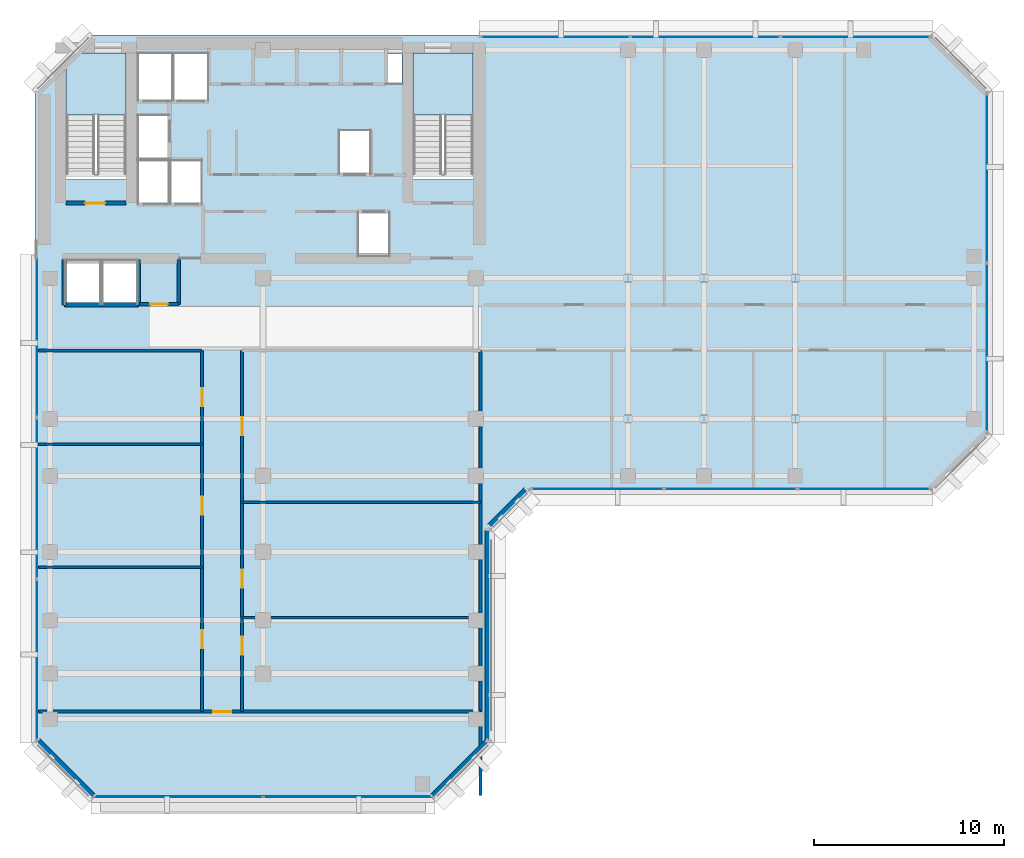
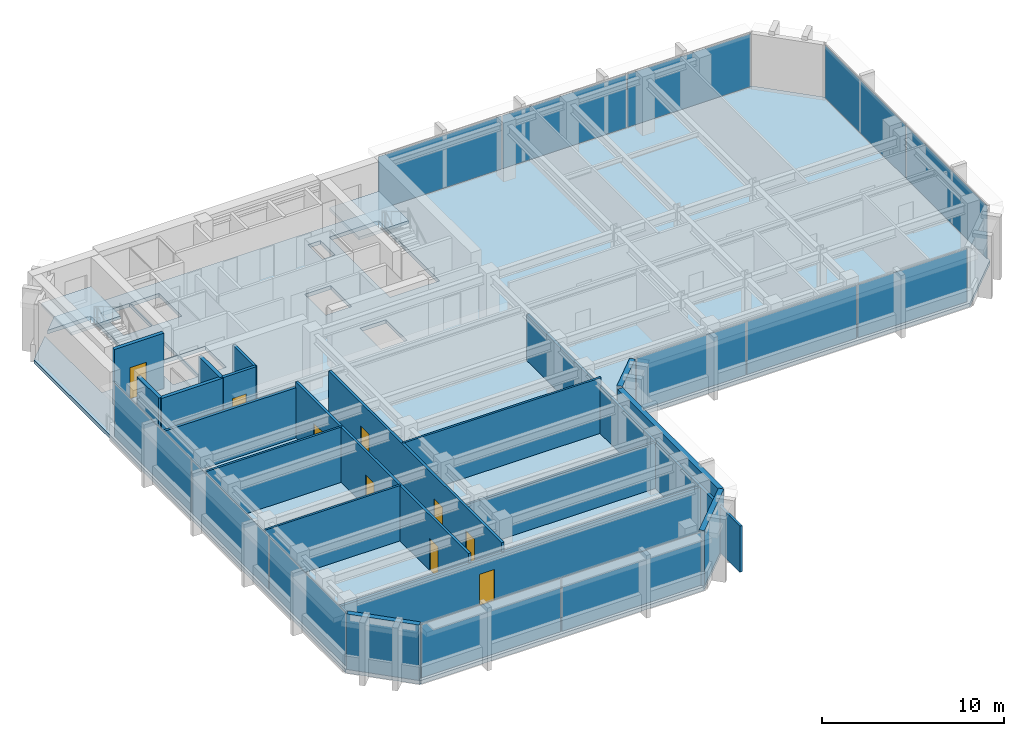
# One storey, part 6 of 12: 19 walls, 13 plates, 9 doors, 3 slabs, 9 openings, 7 elements without a shape of their own.
"""IFC4 building model written with IfcOpenShell, lengths in metres."""

from ifc_helpers import new_model, si_unit, direction, frame, frame_2d, origin, origin_2d, place, context, subcontext, project, spatial, polyline, rectangle, outline, extrude, material, layer, layer_set, type_object, element, fill, aggregate, save


model = new_model("IFC4")

# Units and contexts
model_context = context("Model", 3, precision=1e-05, world=origin(), true_north=direction((0.0, 1.0)))
body_context = subcontext(model_context, "Body", "Model", "MODEL_VIEW")
ifc_project = project(units=[si_unit("LENGTHUNIT", "METRE"), si_unit("AREAUNIT", "SQUARE_METRE"), si_unit("VOLUMEUNIT", "CUBIC_METRE"), si_unit("PLANEANGLEUNIT", "RADIAN"), si_unit("MASSUNIT", "GRAM", prefix="KILO")], contexts=[model_context])

# Site, building, storey
site_placement = place(None, origin())
site = spatial("IfcSite", under=ifc_project, at=site_placement, CompositionType="ELEMENT")
building_placement = place(site_placement, origin())
building = spatial("IfcBuilding", under=site, at=building_placement, Name="Kefirva Bronze Tower", CompositionType="ELEMENT")
storey_placement = place(building_placement, frame((0.0, 0.0, 256.409912109375)))
storey = spatial("IfcBuildingStorey", under=building, at=storey_placement, Name="L62", CompositionType="ELEMENT", Elevation=256.409912109375)

# Stair, slab
ifc_material_1 = material(Name="Concrete C40/50", Category="concrete")
stair_type = type_object("IfcStairType", Name="RC Dogleg Protected Stair 24R", PredefinedType="HALF_TURN_STAIR", material=ifc_material_1)
stair_1_placement = place(storey_placement, origin())
stair_1 = element("IfcStair", 1, at=stair_1_placement, inside=storey, type_object=stair_type, Name="L62 Protected Exit Stair 1", PredefinedType="HALF_TURN_STAIR")
ifc_layer_1 = layer(ifc_material_1, 0.199951171875, Name="Concrete C40/50")
ifc_layer_set_1 = layer_set([ifc_layer_1], Name="Concrete C40/50")
slab_type_1 = type_object("IfcSlabType", Name="RC Stair Landing Slab 200mm", PredefinedType="LANDING", material=ifc_layer_set_1)
slab_1_placement = place(storey_placement, frame((0.0, 0.0, 1.780029296875)))
slab_1 = element("IfcSlab", 2, at=slab_1_placement, type_object=slab_type_1, Name="ST-1 landing 1", PredefinedType="LANDING", context=body_context, shape_type="SweptSolid", body=[
    extrude(outline(polyline([(4.800048828125, 41.780029296875), (4.800048828125, 45.050048828125), (1.64990234375, 45.050048828125), (1.64990234375, 41.780029296875), (4.800048828125, 41.780029296875)])), origin(), (0.0, 0.0, 1.0), 0.199951171875),
])
aggregate(stair_1, [slab_1])

stair_2_placement = place(storey_placement, origin())
stair_2 = element("IfcStair", 3, at=stair_2_placement, inside=storey, type_object=stair_type, Name="L62 Protected Exit Stair 2", PredefinedType="HALF_TURN_STAIR")
slab_2_placement = place(storey_placement, frame((0.0, 0.0, 1.780029296875)))
slab_2 = element("IfcSlab", 4, at=slab_2_placement, type_object=slab_type_1, Name="ST-2 landing 1", PredefinedType="LANDING", context=body_context, shape_type="SweptSolid", body=[
    extrude(outline(polyline([(23.050048828125, 41.780029296875), (23.050048828125, 45.050048828125), (19.89990234375, 45.050048828125), (19.89990234375, 41.780029296875), (23.050048828125, 41.780029296875)])), origin(), (0.0, 0.0, 1.0), 0.199951171875),
])
aggregate(stair_2, [slab_2])

# Slab
ifc_layer_2 = layer(ifc_material_1, 0.25, Name="Concrete C40/50")
ifc_layer_set_2 = layer_set([ifc_layer_2], Name="Concrete C40/50")
slab_type_2 = type_object("IfcSlabType", Name="RC Tower Floor Slab 250mm", PredefinedType="FLOOR", material=ifc_layer_set_2)
slab_3_placement = place(storey_placement, frame((0.0, 0.0, -0.25)))
element("IfcSlab", 5, at=slab_3_placement, inside=storey, type_object=slab_type_2, Name="L62 Structural Floor Slab", PredefinedType="FLOOR", context=body_context, shape_type="SweptSolid", body=[
    extrude(outline(polyline([(0.0, 8.800048828125), (0.0, 43.0), (1.64990234375, 44.64990234375), (1.64990234375, 38.39990234375), (4.800048828125, 38.39990234375), (4.800048828125, 45.050048828125), (2.050048828125, 45.050048828125), (3.0, 46.0), (47.199951171875, 46.0), (50.199951171875, 43.0), (50.199951171875, 25.0), (47.199951171875, 22.0), (26.0, 22.0), (24.0, 20.0), (24.0, 8.800048828125), (21.0, 5.800048828125), (3.0, 5.800048828125), (0.0, 8.800048828125)]), holes=[polyline([(23.050048828125, 45.050048828125), (19.89990234375, 45.050048828125), (19.89990234375, 38.39990234375), (23.050048828125, 38.39990234375), (23.050048828125, 45.050048828125)]), polyline([(19.320068359375, 43.419921875), (19.320068359375, 45.0), (18.52001953125, 45.0), (18.52001953125, 43.419921875), (19.320068359375, 43.419921875)]), polyline([(18.64990234375, 36.64990234375), (17.0, 36.64990234375), (17.0, 34.35009765625), (18.64990234375, 34.35009765625), (18.64990234375, 36.64990234375)]), polyline([(17.64990234375, 38.679931640625), (17.64990234375, 40.97998046875), (16.0, 40.97998046875), (16.0, 38.679931640625), (17.64990234375, 38.679931640625)]), polyline([(9.1201171875, 42.550048828125), (9.1201171875, 45.050048828125), (7.300048828125, 45.050048828125), (7.300048828125, 42.550048828125), (9.1201171875, 42.550048828125)]), polyline([(8.780029296875, 37.10009765625), (8.780029296875, 39.39990234375), (7.139892578125, 39.39990234375), (7.139892578125, 37.10009765625), (8.780029296875, 37.10009765625)]), polyline([(7.239990234375, 42.550048828125), (7.239990234375, 45.050048828125), (5.419921875, 45.050048828125), (5.419921875, 42.550048828125), (7.239990234375, 42.550048828125)]), polyline([(7.06005859375, 37.10009765625), (7.06005859375, 39.39990234375), (5.419921875, 39.39990234375), (5.419921875, 37.10009765625), (7.06005859375, 37.10009765625)]), polyline([(7.06005859375, 41.780029296875), (5.419921875, 41.780029296875), (5.419921875, 39.47998046875), (7.06005859375, 39.47998046875), (7.06005859375, 41.780029296875)]), polyline([(5.39990234375, 31.85009765625), (5.39990234375, 34.14990234375), (3.550048828125, 34.14990234375), (3.550048828125, 31.85009765625), (5.39990234375, 31.85009765625)]), polyline([(3.449951171875, 34.14990234375), (1.60009765625, 34.14990234375), (1.60009765625, 31.85009765625), (3.449951171875, 31.85009765625), (3.449951171875, 34.14990234375)])]), origin(), (0.0, 0.0, 1.0), 0.25),
])

# Curtain wall, plates
ifc_material_2 = material(Name="Bronze anodised aluminium", Category="aluminium")
ifc_layer_3 = layer(ifc_material_2, 0.179931640625, Name="Bronze anodised aluminium")
ifc_layer_set_3 = layer_set([ifc_layer_3], Name="Bronze anodised aluminium")
curtain_wall_type = type_object("IfcCurtainWallType", Name="Unitised Bronze Ribbon Curtain Wall Zone 3", PredefinedType="USERDEFINED", material=ifc_layer_set_3)
curtain_wall_1_placement = place(storey_placement, origin())
curtain_wall_1 = element("IfcCurtainWall", 6, at=curtain_wall_1_placement, inside=storey, type_object=curtain_wall_type, Name="L62 Curtain Wall 1", ObjectType="UNITISED CURTAIN WALL", PredefinedType="USERDEFINED")
ifc_material_3 = material(Name="Laminated low-E double glazing", Category="glass")
ifc_layer_4 = layer(ifc_material_3, 0.031982421875, Name="Laminated low-E double glazing")
ifc_layer_set_4 = layer_set([ifc_layer_4], Name="Laminated low-E double glazing")
plate_type = type_object("IfcPlateType", Name="Solar-Control Low-E Vision Panel 32mm", PredefinedType="CURTAIN_PANEL", material=ifc_layer_set_4)
plate_1_placement = place(storey_placement, frame((7.546142578125, 5.919921875, 0.074951171875), z_axis=(0.0, 0.0, 1.0), x_axis=(1.0, 0.0, 0.0)))
plate_1 = element("IfcPlate", 7, at=plate_1_placement, type_object=plate_type, Name="CW-03 panel 1.1", PredefinedType="CURTAIN_PANEL", context=body_context, shape_type="SweptSolid", body=[
    extrude(rectangle(XDim=8.83251953125, YDim=0.031982421875, at=origin_2d()), origin(), (0.0, 0.0, 1.0), 3.56005859375),
])
plate_2_placement = place(storey_placement, frame((16.453857421875, 5.919921875, 0.074951171875), z_axis=(0.0, 0.0, 1.0), x_axis=(1.0, 0.0, 0.0)))
plate_2 = element("IfcPlate", 8, at=plate_2_placement, type_object=plate_type, Name="CW-03 panel 2.1", PredefinedType="CURTAIN_PANEL", context=body_context, shape_type="SweptSolid", body=[
    extrude(rectangle(XDim=8.83251953125, YDim=0.031982421875, at=origin_2d()), origin(), (0.0, 0.0, 1.0), 3.56005859375),
])
aggregate(curtain_wall_1, [plate_1, plate_2])

curtain_wall_2_placement = place(storey_placement, origin())
curtain_wall_2 = element("IfcCurtainWall", 9, at=curtain_wall_2_placement, inside=storey, type_object=curtain_wall_type, Name="L62 Curtain Wall 2", ObjectType="UNITISED CURTAIN WALL", PredefinedType="USERDEFINED")
plate_3_placement = place(storey_placement, frame((29.5888671875, 22.1201171875, 0.074951171875), z_axis=(0.0, 0.0, 1.0), x_axis=(1.0, 0.0, 0.0)))
plate_3 = element("IfcPlate", 10, at=plate_3_placement, type_object=plate_type, Name="CW-03 panel 1.1", PredefinedType="CURTAIN_PANEL", context=body_context, shape_type="SweptSolid", body=[
    extrude(rectangle(XDim=6.91748046875, YDim=0.031982421875, at=origin_2d()), origin(), (0.0, 0.0, 1.0), 3.56005859375),
])
plate_4_placement = place(storey_placement, frame((36.60009765625, 22.1201171875, 0.074951171875), z_axis=(0.0, 0.0, 1.0), x_axis=(1.0, 0.0, 0.0)))
plate_4 = element("IfcPlate", 11, at=plate_4_placement, type_object=plate_type, Name="CW-03 panel 2.1", PredefinedType="CURTAIN_PANEL", context=body_context, shape_type="SweptSolid", body=[
    extrude(rectangle(XDim=6.955078125, YDim=0.031982421875, at=origin_2d()), origin(), (0.0, 0.0, 1.0), 3.56005859375),
])
plate_5_placement = place(storey_placement, frame((43.611328125, 22.1201171875, 0.074951171875), z_axis=(0.0, 0.0, 1.0), x_axis=(1.0, 0.0, 0.0)))
plate_5 = element("IfcPlate", 12, at=plate_5_placement, type_object=plate_type, Name="CW-03 panel 3.1", PredefinedType="CURTAIN_PANEL", context=body_context, shape_type="SweptSolid", body=[
    extrude(rectangle(XDim=6.91748046875, YDim=0.031982421875, at=origin_2d()), origin(), (0.0, 0.0, 1.0), 3.56005859375),
])
aggregate(curtain_wall_2, [plate_3, plate_4, plate_5])

curtain_wall_3_placement = place(storey_placement, origin())
curtain_wall_3 = element("IfcCurtainWall", 13, at=curtain_wall_3_placement, inside=storey, type_object=curtain_wall_type, Name="L62 Curtain Wall 3", ObjectType="UNITISED CURTAIN WALL", PredefinedType="USERDEFINED")
plate_6_placement = place(storey_placement, frame((50.080078125, 29.546142578125, 0.074951171875), z_axis=(0.0, 0.0, 1.0), x_axis=(0.0, 1.0, 0.0)))
plate_6 = element("IfcPlate", 14, at=plate_6_placement, type_object=plate_type, Name="CW-03 panel 1.1", PredefinedType="CURTAIN_PANEL", context=body_context, shape_type="SweptSolid", body=[
    extrude(rectangle(XDim=8.83251953125, YDim=0.031982421875, at=origin_2d()), origin(), (0.0, 0.0, 1.0), 3.56005859375),
])
plate_7_placement = place(storey_placement, frame((50.080078125, 38.453857421875, 0.074951171875), z_axis=(0.0, 0.0, 1.0), x_axis=(0.0, 1.0, 0.0)))
plate_7 = element("IfcPlate", 15, at=plate_7_placement, type_object=plate_type, Name="CW-03 panel 2.1", PredefinedType="CURTAIN_PANEL", context=body_context, shape_type="SweptSolid", body=[
    extrude(rectangle(XDim=8.83251953125, YDim=0.031982421875, at=origin_2d()), origin(), (0.0, 0.0, 1.0), 3.56005859375),
])
aggregate(curtain_wall_3, [plate_6, plate_7])

curtain_wall_4_placement = place(storey_placement, origin())
curtain_wall_4 = element("IfcCurtainWall", 16, at=curtain_wall_4_placement, inside=storey, type_object=curtain_wall_type, Name="L62 Curtain Wall 4", ObjectType="UNITISED CURTAIN WALL", PredefinedType="USERDEFINED")
plate_8_placement = place(storey_placement, frame((43.169677734375, 45.8798828125, 0.074951171875), z_axis=(0.0, 0.0, 1.0), x_axis=(-1.0, 0.0, 0.0)))
plate_8 = element("IfcPlate", 17, at=plate_8_placement, type_object=plate_type, Name="CW-03 panel 1.1", PredefinedType="CURTAIN_PANEL", context=body_context, shape_type="SweptSolid", body=[
    extrude(rectangle(XDim=7.80078125, YDim=0.031982421875, at=origin_2d()), origin(), (0.0, 0.0, 1.0), 3.56005859375),
])
plate_9_placement = place(storey_placement, frame((35.27490234375, 45.8798828125, 0.074951171875), z_axis=(0.0, 0.0, 1.0), x_axis=(-1.0, 0.0, 0.0)))
plate_9 = element("IfcPlate", 18, at=plate_9_placement, type_object=plate_type, Name="CW-03 panel 2.1", PredefinedType="CURTAIN_PANEL", context=body_context, shape_type="SweptSolid", body=[
    extrude(rectangle(XDim=7.83837890625, YDim=0.031982421875, at=origin_2d()), origin(), (0.0, 0.0, 1.0), 3.56005859375),
])
plate_10_placement = place(storey_placement, frame((27.38037109375, 45.8798828125, 0.074951171875), z_axis=(0.0, 0.0, 1.0), x_axis=(-1.0, 0.0, 0.0)))
plate_10 = element("IfcPlate", 19, at=plate_10_placement, type_object=plate_type, Name="CW-03 panel 3.1", PredefinedType="CURTAIN_PANEL", context=body_context, shape_type="SweptSolid", body=[
    extrude(rectangle(XDim=7.80078125, YDim=0.031982421875, at=origin_2d()), origin(), (0.0, 0.0, 1.0), 3.56005859375),
])
aggregate(curtain_wall_4, [plate_8, plate_9, plate_10])

curtain_wall_5_placement = place(storey_placement, origin())
curtain_wall_5 = element("IfcCurtainWall", 20, at=curtain_wall_5_placement, inside=storey, type_object=curtain_wall_type, Name="L62 Curtain Wall 5", ObjectType="UNITISED CURTAIN WALL", PredefinedType="USERDEFINED")
plate_11_placement = place(storey_placement, frame((0.1201171875, 30.11962890625, 0.074951171875), z_axis=(0.0, 0.0, 1.0), x_axis=(0.0, -1.0, 0.0)))
plate_11 = element("IfcPlate", 21, at=plate_11_placement, type_object=plate_type, Name="CW-03 panel 1.1", PredefinedType="CURTAIN_PANEL", context=body_context, shape_type="SweptSolid", body=[
    extrude(rectangle(XDim=8.40087890625, YDim=0.031982421875, at=origin_2d()), origin(), (0.0, 0.0, 1.0), 3.56005859375),
])
plate_12_placement = place(storey_placement, frame((0.1201171875, 21.625, 0.074951171875), z_axis=(0.0, 0.0, 1.0), x_axis=(0.0, -1.0, 0.0)))
plate_12 = element("IfcPlate", 22, at=plate_12_placement, type_object=plate_type, Name="CW-03 panel 2.1", PredefinedType="CURTAIN_PANEL", context=body_context, shape_type="SweptSolid", body=[
    extrude(rectangle(XDim=8.438232421875, YDim=0.031982421875, at=origin_2d()), origin(), (0.0, 0.0, 1.0), 3.56005859375),
])
plate_13_placement = place(storey_placement, frame((0.1201171875, 13.13037109375, 0.074951171875), z_axis=(0.0, 0.0, 1.0), x_axis=(0.0, -1.0, 0.0)))
plate_13 = element("IfcPlate", 23, at=plate_13_placement, type_object=plate_type, Name="CW-03 panel 3.1", PredefinedType="CURTAIN_PANEL", context=body_context, shape_type="SweptSolid", body=[
    extrude(rectangle(XDim=8.40087890625, YDim=0.031982421875, at=origin_2d()), origin(), (0.0, 0.0, 1.0), 3.56005859375),
])
aggregate(curtain_wall_5, [plate_11, plate_12, plate_13])

# Walls
ifc_material_4 = material(Name="Gypsum acoustic partition")
ifc_layer_5 = layer(ifc_material_4, 0.1298828125, Name="Gypsum acoustic partition")
ifc_layer_set_5 = layer_set([ifc_layer_5], Name="Gypsum acoustic partition")
wall_type_1 = type_object("IfcWallType", Name="Acoustic Office Partition 130mm", PredefinedType="PARTITIONING", material=ifc_layer_set_5)
for number, where, z_axis, x_axis, name in (
    (24, (0.18994140625, 18.0, 0.0), (0.0, 0.0, 1.0), (1.0, 0.0, 0.0), "L62 Partition W-L62-SWD1"),
    (25, (0.18994140625, 24.4599609375, 0.0), (0.0, 0.0, 1.0), (1.0, 0.0, 0.0), "L62 Partition W-L62-SWD2"),
):
    element("IfcWall", number, at=place(storey_placement, frame(where, z_axis=z_axis, x_axis=x_axis)), inside=storey, type_object=wall_type_1, Name=name, PredefinedType="PARTITIONING", context=body_context, shape_type="SweptSolid", body=[
        extrude(rectangle(XDim=8.610107421875, YDim=0.1298828125, at=frame_2d((4.30517578125, 0.0))), origin(), (0.0, 0.0, 1.0), 3.710205078125),
    ])
wall_1_placement = place(storey_placement, frame((10.89990234375, 15.340087890625, 0.0), z_axis=(0.0, 0.0, 1.0), x_axis=(1.0, 0.0, 0.0)))
element("IfcWall", 26, at=wall_1_placement, inside=storey, type_object=wall_type_1, Name="L62 Partition W-L62-SED1", PredefinedType="PARTITIONING", context=body_context, shape_type="SweptSolid", body=[
    extrude(rectangle(XDim=12.550048828125, YDim=0.1298828125, at=frame_2d((6.27490234375, 0.0))), origin(), (0.0, 0.0, 1.0), 3.094970703125),
])
wall_2_placement = place(storey_placement, frame((10.89990234375, 21.419921875, 0.0), z_axis=(0.0, 0.0, 1.0), x_axis=(1.0, 0.0, 0.0)))
element("IfcWall", 27, at=wall_2_placement, inside=storey, type_object=wall_type_1, Name="L62 Partition W-L62-SED2", PredefinedType="PARTITIONING", context=body_context, shape_type="SweptSolid", body=[
    extrude(rectangle(XDim=12.550048828125, YDim=0.1298828125, at=frame_2d((6.27490234375, 0.0))), origin(), (0.0, 0.0, 1.0), 3.710205078125),
])

# Wall, opening, door
ifc_material_5 = material(Name="Gypsum fireboard shaftwall")
ifc_layer_6 = layer(ifc_material_5, 0.219970703125, Name="Gypsum fireboard shaftwall")
ifc_layer_set_6 = layer_set([ifc_layer_6], Name="Gypsum fireboard shaftwall")
wall_type_2 = type_object("IfcWallType", Name="Fire-Rated Shaft Enclosure Wall 220mm", PredefinedType="PARTITIONING", material=ifc_layer_set_6)
wall_3_placement = place(storey_placement, frame((1.64990234375, 37.14990234375, 0.0), z_axis=(0.0, 0.0, 1.0), x_axis=(1.0, 0.0, 0.0)))
wall_3 = element("IfcWall", 28, at=wall_3_placement, inside=storey, type_object=wall_type_2, Name="L62 Partition W-L62-ST1S", PredefinedType="PARTITIONING", context=body_context, shape_type="SweptSolid", body=[
    extrude(rectangle(XDim=3.150146484375, YDim=0.219970703125, at=frame_2d((1.5751953125, 0.0))), origin(), (0.0, 0.0, 1.0), 3.710205078125),
])
opening_1_placement = place(wall_3_placement, frame((2.050048828125, 0.0, 0.0), z_axis=(0.0, 0.0, 1.0), x_axis=(-1.0, 0.0, 0.0)))
opening_1 = element("IfcOpeningElement", 29, at=opening_1_placement, cuts=wall_3, Name="Opening L62-D001", PredefinedType="OPENING", context=body_context, shape_type="SweptSolid", body=[
    extrude(rectangle(XDim=1.050048828125, YDim=2.14990234375, at=frame_2d((0.52490234375, 1.074951171875))), frame((0.0, 0.1201171875, 0.0), z_axis=(0.0, -1.0, 0.0), x_axis=(1.0, 0.0, 0.0)), (0.0, 0.0, 1.0), 0.239990234375),
])
ifc_material_6 = material(Name="Painted galvanized steel", Category="steel")
door_type_1 = type_object("IfcDoorType", Name="Fire Stair Enclosure Door 1050x2150 FD90S", OperationType="NOTDEFINED", PredefinedType="DOOR", material=ifc_material_6)
door_1_placement = place(opening_1_placement, origin())
door_1 = element("IfcDoor", 30, at=door_1_placement, inside=storey, type_object=door_type_1, Name="Door L62-D001", OperationType="SINGLE_SWING_RIGHT", OverallHeight=2.14990234375, OverallWidth=1.050048828125, PredefinedType="DOOR", context=body_context, shape_type="SweptSolid", body=[
    extrude(rectangle(XDim=1.050048828125, YDim=2.14990234375, at=frame_2d((0.52490234375, 1.074951171875))), frame((0.0, 0.02490234375, 0.0), z_axis=(0.0, -1.0, 0.0), x_axis=(1.0, 0.0, 0.0)), (0.0, 0.0, 1.0), 0.050048828125),
])
fill(opening_1, door_1)

# Walls
wall_4_placement = place(storey_placement, frame((1.550048828125, 31.800048828125, 0.0), z_axis=(0.0, 0.0, 1.0), x_axis=(1.0, 0.0, 0.0)))
element("IfcWall", 31, at=wall_4_placement, inside=storey, type_object=wall_type_2, Name="L62 Partition W-L62-OBS", PredefinedType="PARTITIONING", context=body_context, shape_type="SweptSolid", body=[
    extrude(rectangle(XDim=3.89990234375, YDim=0.219970703125, at=frame_2d((1.949951171875, 0.0))), origin(), (0.0, 0.0, 1.0), 3.710205078125),
])
for number, where, z_axis, x_axis, name in (
    (32, (1.550048828125, 31.800048828125, 0.0), (0.0, 0.0, 1.0), (0.0, 1.0, 0.0), "L62 Partition W-L62-OBW"),
    (33, (5.449951171875, 31.800048828125, 0.0), (0.0, 0.0, 1.0), (0.0, 1.0, 0.0), "L62 Partition W-L62-OBE"),
):
    element("IfcWall", number, at=place(storey_placement, frame(where, z_axis=z_axis, x_axis=x_axis)), inside=storey, type_object=wall_type_2, Name=name, PredefinedType="PARTITIONING", context=body_context, shape_type="SweptSolid", body=[
        extrude(rectangle(XDim=2.3798828125, YDim=0.219970703125, at=frame_2d((1.18994140625, 0.0))), origin(), (0.0, 0.0, 1.0), 3.710205078125),
    ])
ifc_material_7 = material(Name="Precast concrete C40/50", Category="concrete")
ifc_layer_7 = layer(ifc_material_7, 0.320068359375, Name="Precast concrete C40/50")
ifc_layer_set_7 = layer_set([ifc_layer_7], Name="Precast concrete C40/50")
wall_type_3 = type_object("IfcWallType", Name="Precast Insulated Exterior Wall 320mm", PredefinedType="SOLIDWALL", material=ifc_layer_set_7)
wall_5_placement = place(storey_placement, frame((20.92578125, 5.951904296875, 0.0), z_axis=(0.0, 0.0, 1.0), x_axis=(0.707077242712, 0.707136318428, 0.0)))
element("IfcWall", 34, at=wall_5_placement, inside=storey, type_object=wall_type_3, Name="L62 Exterior Facade Wall 1", PredefinedType="SOLIDWALL", context=body_context, shape_type="SweptSolid", body=[
    extrude(rectangle(XDim=4.132568359375, YDim=0.320068359375, at=frame_2d((2.06640625, 0.0))), origin(), (0.0, 0.0, 1.0), 3.710205078125),
])
wall_6_placement = place(storey_placement, frame((23.840087890625, 8.85498046875, 0.0), z_axis=(0.0, 0.0, 1.0), x_axis=(0.0, 1.0, 0.0)))
element("IfcWall", 35, at=wall_6_placement, inside=storey, type_object=wall_type_3, Name="L62 Exterior Facade Wall 2", PredefinedType="SOLIDWALL", context=body_context, shape_type="SweptSolid", body=[
    extrude(rectangle(XDim=11.090087890625, YDim=0.320068359375, at=frame_2d((5.544921875, 0.0))), origin(), (0.0, 0.0, 1.0), 3.710205078125),
])
wall_7_placement = place(storey_placement, frame((23.92578125, 20.152099609375, 0.0), z_axis=(0.0, 0.0, 1.0), x_axis=(0.707106781187, 0.707106781187, 0.0)))
element("IfcWall", 36, at=wall_7_placement, inside=storey, type_object=wall_type_3, Name="L62 Exterior Facade Wall 3", PredefinedType="SOLIDWALL", context=body_context, shape_type="SweptSolid", body=[
    extrude(rectangle(XDim=2.71826171875, YDim=0.320068359375, at=frame_2d((1.359130859375, 0.0))), origin(), (0.0, 0.0, 1.0), 3.710205078125),
])
wall_8_placement = place(storey_placement, frame((0.152099609375, 8.874267578125, 0.0), z_axis=(0.0, 0.0, 1.0), x_axis=(0.707077242712, -0.707136318428, 0.0)))
element("IfcWall", 37, at=wall_8_placement, inside=storey, type_object=wall_type_3, Name="L62 Exterior Facade Wall 7", PredefinedType="SOLIDWALL", context=body_context, shape_type="SweptSolid", body=[
    extrude(rectangle(XDim=4.132568359375, YDim=0.320068359375, at=frame_2d((2.06640625, 0.0))), origin(), (0.0, 0.0, 1.0), 3.710205078125),
])

# Wall, openings, doors
ifc_layer_8 = layer(ifc_material_4, 0.159912109375, Name="Gypsum acoustic partition")
ifc_layer_set_8 = layer_set([ifc_layer_8], Name="Gypsum acoustic partition")
wall_type_4 = type_object("IfcWallType", Name="Protected Corridor Partition 160mm", PredefinedType="PARTITIONING", material=ifc_layer_set_8)
wall_9_placement = place(storey_placement, frame((8.800048828125, 10.39990234375, 0.0), z_axis=(0.0, 0.0, 1.0), x_axis=(0.0, 1.0, 0.0)))
wall_9 = element("IfcWall", 38, at=wall_9_placement, inside=storey, type_object=wall_type_4, Name="L62 Partition W-L62-SWCORW", PredefinedType="PARTITIONING", context=body_context, shape_type="SweptSolid", body=[
    extrude(rectangle(XDim=19.0, YDim=0.159912109375, at=frame_2d((9.5, 0.0))), origin(), (0.0, 0.0, 1.0), 3.710205078125),
])
opening_2_placement = place(wall_9_placement, frame((4.27490234375, 0.0, 0.0), z_axis=(0.0, 0.0, 1.0), x_axis=(-1.0, 0.0, 0.0)))
opening_2 = element("IfcOpeningElement", 39, at=opening_2_placement, cuts=wall_9, Name="Opening L62-D-SW1", PredefinedType="OPENING", context=body_context, shape_type="SweptSolid", body=[
    extrude(rectangle(XDim=0.949951171875, YDim=2.14990234375, at=frame_2d((0.47509765625, 1.074951171875))), frame((0.0, 0.08984375, 0.0), z_axis=(0.0, -1.0, 0.0), x_axis=(1.0, 0.0, 0.0)), (0.0, 0.0, 1.0), 0.179931640625),
])
opening_3_placement = place(wall_9_placement, frame((11.304931640625, 0.0, 0.0), z_axis=(0.0, 0.0, 1.0), x_axis=(-1.0, 0.0, 0.0)))
opening_3 = element("IfcOpeningElement", 40, at=opening_3_placement, cuts=wall_9, Name="Opening L62-D-SW2", PredefinedType="OPENING", context=body_context, shape_type="SweptSolid", body=[
    extrude(rectangle(XDim=0.949951171875, YDim=2.14990234375, at=frame_2d((0.47509765625, 1.074951171875))), frame((0.0, 0.08984375, 0.0), z_axis=(0.0, -1.0, 0.0), x_axis=(1.0, 0.0, 0.0)), (0.0, 0.0, 1.0), 0.179931640625),
])
opening_4_placement = place(wall_9_placement, frame((17.0048828125, 0.0, 0.0), z_axis=(0.0, 0.0, 1.0), x_axis=(-1.0, 0.0, 0.0)))
opening_4 = element("IfcOpeningElement", 41, at=opening_4_placement, cuts=wall_9, Name="Opening L62-D-SW3", PredefinedType="OPENING", context=body_context, shape_type="SweptSolid", body=[
    extrude(rectangle(XDim=0.949951171875, YDim=2.14990234375, at=frame_2d((0.47509765625, 1.074951171875))), frame((0.0, 0.08984375, 0.0), z_axis=(0.0, -1.0, 0.0), x_axis=(1.0, 0.0, 0.0)), (0.0, 0.0, 1.0), 0.179931640625),
])
ifc_material_8 = material(Name="Acoustic hardwood oak", Category="wood")
door_type_2 = type_object("IfcDoorType", Name="Office & Meeting Room Door 950x2150", OperationType="NOTDEFINED", PredefinedType="DOOR", material=ifc_material_8)
door_2_placement = place(opening_2_placement, origin())
door_2 = element("IfcDoor", 42, at=door_2_placement, inside=storey, type_object=door_type_2, Name="Door L62-D-SW1", OperationType="SINGLE_SWING_RIGHT", OverallHeight=2.14990234375, OverallWidth=0.949951171875, PredefinedType="DOOR", context=body_context, shape_type="SweptSolid", body=[
    extrude(rectangle(XDim=0.949951171875, YDim=2.14990234375, at=frame_2d((0.47509765625, 1.074951171875))), frame((0.0, 0.02490234375, 0.0), z_axis=(0.0, -1.0, 0.0), x_axis=(1.0, 0.0, 0.0)), (0.0, 0.0, 1.0), 0.050048828125),
])
fill(opening_2, door_2)
door_3_placement = place(opening_3_placement, origin())
door_3 = element("IfcDoor", 43, at=door_3_placement, inside=storey, type_object=door_type_2, Name="Door L62-D-SW2", OperationType="SINGLE_SWING_LEFT", OverallHeight=2.14990234375, OverallWidth=0.949951171875, PredefinedType="DOOR", context=body_context, shape_type="SweptSolid", body=[
    extrude(rectangle(XDim=0.949951171875, YDim=2.14990234375, at=frame_2d((0.47509765625, 1.074951171875))), frame((0.0, 0.02490234375, 0.0), z_axis=(0.0, -1.0, 0.0), x_axis=(1.0, 0.0, 0.0)), (0.0, 0.0, 1.0), 0.050048828125),
])
fill(opening_3, door_3)
door_4_placement = place(opening_4_placement, origin())
door_4 = element("IfcDoor", 44, at=door_4_placement, inside=storey, type_object=door_type_2, Name="Door L62-D-SW3", OperationType="SINGLE_SWING_RIGHT", OverallHeight=2.14990234375, OverallWidth=0.949951171875, PredefinedType="DOOR", context=body_context, shape_type="SweptSolid", body=[
    extrude(rectangle(XDim=0.949951171875, YDim=2.14990234375, at=frame_2d((0.47509765625, 1.074951171875))), frame((0.0, 0.02490234375, 0.0), z_axis=(0.0, -1.0, 0.0), x_axis=(1.0, 0.0, 0.0)), (0.0, 0.0, 1.0), 0.050048828125),
])
fill(opening_4, door_4)

wall_10_placement = place(storey_placement, frame((10.89990234375, 10.39990234375, 0.0), z_axis=(0.0, 0.0, 1.0), x_axis=(0.0, 1.0, 0.0)))
wall_10 = element("IfcWall", 45, at=wall_10_placement, inside=storey, type_object=wall_type_4, Name="L62 Partition W-L62-SECORE", PredefinedType="PARTITIONING", context=body_context, shape_type="SweptSolid", body=[
    extrude(rectangle(XDim=19.0, YDim=0.159912109375, at=frame_2d((9.5, 0.0))), origin(), (0.0, 0.0, 1.0), 3.710205078125),
])
opening_5_placement = place(wall_10_placement, frame((2.9951171875, 0.0, 0.0)))
opening_5 = element("IfcOpeningElement", 46, at=opening_5_placement, cuts=wall_10, Name="Opening L62-D-SE1", PredefinedType="OPENING", context=body_context, shape_type="SweptSolid", body=[
    extrude(rectangle(XDim=0.949951171875, YDim=2.14990234375, at=frame_2d((0.47509765625, 1.074951171875))), frame((0.0, 0.08984375, 0.0), z_axis=(0.0, -1.0, 0.0), x_axis=(1.0, 0.0, 0.0)), (0.0, 0.0, 1.0), 0.179931640625),
])
opening_6_placement = place(wall_10_placement, frame((6.5048828125, 0.0, 0.0)))
opening_6 = element("IfcOpeningElement", 47, at=opening_6_placement, cuts=wall_10, Name="Opening L62-D-SE2", PredefinedType="OPENING", context=body_context, shape_type="SweptSolid", body=[
    extrude(rectangle(XDim=0.949951171875, YDim=2.14990234375, at=frame_2d((0.47509765625, 1.074951171875))), frame((0.0, 0.08984375, 0.0), z_axis=(0.0, -1.0, 0.0), x_axis=(1.0, 0.0, 0.0)), (0.0, 0.0, 1.0), 0.179931640625),
])
opening_7_placement = place(wall_10_placement, frame((14.534912109375, 0.0, 0.0)))
opening_7 = element("IfcOpeningElement", 48, at=opening_7_placement, cuts=wall_10, Name="Opening L62-D-SE3", PredefinedType="OPENING", context=body_context, shape_type="SweptSolid", body=[
    extrude(rectangle(XDim=0.949951171875, YDim=2.14990234375, at=frame_2d((0.47509765625, 1.074951171875))), frame((0.0, 0.08984375, 0.0), z_axis=(0.0, -1.0, 0.0), x_axis=(1.0, 0.0, 0.0)), (0.0, 0.0, 1.0), 0.179931640625),
])
door_5_placement = place(opening_5_placement, origin())
door_5 = element("IfcDoor", 49, at=door_5_placement, inside=storey, type_object=door_type_2, Name="Door L62-D-SE1", OperationType="SINGLE_SWING_LEFT", OverallHeight=2.14990234375, OverallWidth=0.949951171875, PredefinedType="DOOR", context=body_context, shape_type="SweptSolid", body=[
    extrude(rectangle(XDim=0.949951171875, YDim=2.14990234375, at=frame_2d((0.47509765625, 1.074951171875))), frame((0.0, 0.02490234375, 0.0), z_axis=(0.0, -1.0, 0.0), x_axis=(1.0, 0.0, 0.0)), (0.0, 0.0, 1.0), 0.050048828125),
])
fill(opening_5, door_5)
door_6_placement = place(opening_6_placement, origin())
door_6 = element("IfcDoor", 50, at=door_6_placement, inside=storey, type_object=door_type_2, Name="Door L62-D-SE2", OperationType="SINGLE_SWING_RIGHT", OverallHeight=2.14990234375, OverallWidth=0.949951171875, PredefinedType="DOOR", context=body_context, shape_type="SweptSolid", body=[
    extrude(rectangle(XDim=0.949951171875, YDim=2.14990234375, at=frame_2d((0.47509765625, 1.074951171875))), frame((0.0, 0.02490234375, 0.0), z_axis=(0.0, -1.0, 0.0), x_axis=(1.0, 0.0, 0.0)), (0.0, 0.0, 1.0), 0.050048828125),
])
fill(opening_6, door_6)
door_7_placement = place(opening_7_placement, origin())
door_7 = element("IfcDoor", 51, at=door_7_placement, inside=storey, type_object=door_type_2, Name="Door L62-D-SE3", OperationType="SINGLE_SWING_LEFT", OverallHeight=2.14990234375, OverallWidth=0.949951171875, PredefinedType="DOOR", context=body_context, shape_type="SweptSolid", body=[
    extrude(rectangle(XDim=0.949951171875, YDim=2.14990234375, at=frame_2d((0.47509765625, 1.074951171875))), frame((0.0, 0.02490234375, 0.0), z_axis=(0.0, -1.0, 0.0), x_axis=(1.0, 0.0, 0.0)), (0.0, 0.0, 1.0), 0.050048828125),
])
fill(opening_7, door_7)

# Wall, opening, door
wall_11_placement = place(storey_placement, frame((0.18994140625, 10.39990234375, 0.0), z_axis=(0.0, 0.0, 1.0), x_axis=(1.0, 0.0, 0.0)))
wall_11 = element("IfcWall", 52, at=wall_11_placement, inside=storey, type_object=wall_type_4, Name="L62 Partition W-L62-SBEND", PredefinedType="PARTITIONING", context=body_context, shape_type="SweptSolid", body=[
    extrude(rectangle(XDim=23.260009765625, YDim=0.159912109375, at=frame_2d((11.6298828125, 0.0))), origin(), (0.0, 0.0, 1.0), 3.094970703125),
])
opening_8_placement = place(wall_11_placement, frame((9.18994140625, 0.0, 0.0)))
opening_8 = element("IfcOpeningElement", 53, at=opening_8_placement, cuts=wall_11, Name="Opening L62-D-SEND1", PredefinedType="OPENING", context=body_context, shape_type="SweptSolid", body=[
    extrude(rectangle(XDim=0.949951171875, YDim=2.14990234375, at=frame_2d((0.47509765625, 1.074951171875))), frame((0.0, 0.08984375, 0.0), z_axis=(0.0, -1.0, 0.0), x_axis=(1.0, 0.0, 0.0)), (0.0, 0.0, 1.0), 0.179931640625),
])
door_8_placement = place(opening_8_placement, origin())
door_8 = element("IfcDoor", 54, at=door_8_placement, inside=storey, type_object=door_type_2, Name="Door L62-D-SEND1", OperationType="SINGLE_SWING_LEFT", OverallHeight=2.14990234375, OverallWidth=0.949951171875, PredefinedType="DOOR", context=body_context, shape_type="SweptSolid", body=[
    extrude(rectangle(XDim=0.949951171875, YDim=2.14990234375, at=frame_2d((0.47509765625, 1.074951171875))), frame((0.0, 0.02490234375, 0.0), z_axis=(0.0, -1.0, 0.0), x_axis=(1.0, 0.0, 0.0)), (0.0, 0.0, 1.0), 0.050048828125),
])
fill(opening_8, door_8)

# Walls
wall_12_placement = place(storey_placement, frame((0.18994140625, 29.39990234375, 0.0), z_axis=(0.0, 0.0, 1.0), x_axis=(1.0, 0.0, 0.0)))
element("IfcWall", 55, at=wall_12_placement, inside=storey, type_object=wall_type_4, Name="L62 Partition W-L62-NWT", PredefinedType="PARTITIONING", context=body_context, shape_type="SweptSolid", body=[
    extrude(rectangle(XDim=8.610107421875, YDim=0.159912109375, at=frame_2d((4.30517578125, 0.0))), origin(), (0.0, 0.0, 1.0), 3.364990234375),
])
wall_13_placement = place(storey_placement, frame((23.449951171875, 5.989990234375, 0.0), z_axis=(0.0, 0.0, 1.0), x_axis=(0.0, 1.0, 0.0)))
element("IfcWall", 56, at=wall_13_placement, inside=storey, type_object=wall_type_4, Name="L62 Partition W-L62-SWEAST", PredefinedType="PARTITIONING", context=body_context, shape_type="SweptSolid", body=[
    extrude(rectangle(XDim=23.409912109375, YDim=0.159912109375, at=frame_2d((11.705078125, 0.0))), origin(), (0.0, 0.0, 1.0), 3.094970703125),
])

# Wall, opening, door
ifc_material_9 = material(Name="Moisture-resistant partition")
ifc_layer_9 = layer(ifc_material_9, 0.179931640625, Name="Moisture-resistant partition")
ifc_layer_set_9 = layer_set([ifc_layer_9], Name="Moisture-resistant partition")
wall_type_5 = type_object("IfcWallType", Name="Sanitary Plumbing Chase Wall 180mm", PredefinedType="PLUMBINGWALL", material=ifc_layer_set_9)
wall_14_placement = place(storey_placement, frame((5.5, 31.820068359375, 0.0), z_axis=(0.0, 0.0, 1.0), x_axis=(1.0, 0.0, 0.0)))
wall_14 = element("IfcWall", 57, at=wall_14_placement, inside=storey, type_object=wall_type_5, Name="L62 Partition W-L62-TCS", PredefinedType="PLUMBINGWALL", context=body_context, shape_type="SweptSolid", body=[
    extrude(rectangle(XDim=2.080078125, YDim=0.179931640625, at=frame_2d((1.0400390625, 0.0))), origin(), (0.0, 0.0, 1.0), 3.710205078125),
])
opening_9_placement = place(wall_14_placement, frame((1.47998046875, 0.0, 0.0), z_axis=(0.0, 0.0, 1.0), x_axis=(-1.0, 0.0, 0.0)))
opening_9 = element("IfcOpeningElement", 58, at=opening_9_placement, cuts=wall_14, Name="Opening L62-D-TCL1", PredefinedType="OPENING", context=body_context, shape_type="SweptSolid", body=[
    extrude(rectangle(XDim=0.89990234375, YDim=2.10009765625, at=frame_2d((0.449951171875, 1.050048828125))), frame((0.0, 0.10009765625, 0.0), z_axis=(0.0, -1.0, 0.0), x_axis=(1.0, 0.0, 0.0)), (0.0, 0.0, 1.0), 0.199951171875),
])
door_type_3 = type_object("IfcDoorType", Name="Telecom & Meter Fire Door 900x2100 FD60S", OperationType="NOTDEFINED", PredefinedType="DOOR", material=ifc_material_6)
door_9_placement = place(opening_9_placement, origin())
door_9 = element("IfcDoor", 59, at=door_9_placement, inside=storey, type_object=door_type_3, Name="Door L62-D-TCL1", OperationType="SINGLE_SWING_LEFT", OverallHeight=2.10009765625, OverallWidth=0.89990234375, PredefinedType="DOOR", context=body_context, shape_type="SweptSolid", body=[
    extrude(rectangle(XDim=0.89990234375, YDim=2.10009765625, at=frame_2d((0.449951171875, 1.050048828125))), frame((0.0, 0.02490234375, 0.0), z_axis=(0.0, -1.0, 0.0), x_axis=(1.0, 0.0, 0.0)), (0.0, 0.0, 1.0), 0.050048828125),
])
fill(opening_9, door_9)

# Wall
wall_15_placement = place(storey_placement, frame((7.580078125, 31.820068359375, 0.0), z_axis=(0.0, 0.0, 1.0), x_axis=(0.0, 1.0, 0.0)))
element("IfcWall", 60, at=wall_15_placement, inside=storey, type_object=wall_type_5, Name="L62 Partition W-L62-TCE", PredefinedType="PLUMBINGWALL", context=body_context, shape_type="SweptSolid", body=[
    extrude(rectangle(XDim=2.35986328125, YDim=0.179931640625, at=frame_2d((1.179931640625, 0.0))), origin(), (0.0, 0.0, 1.0), 3.710205078125),
])

save(model, "model.ifc")
